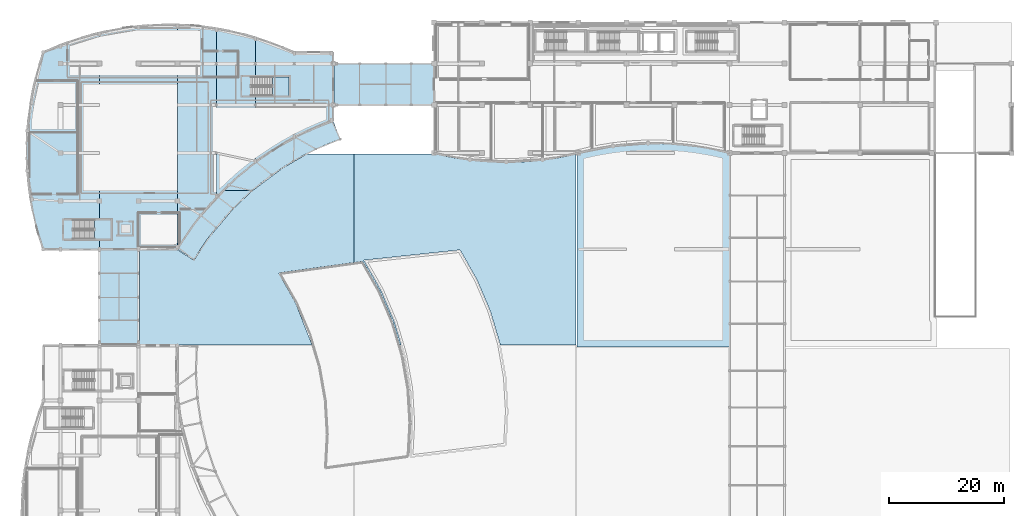
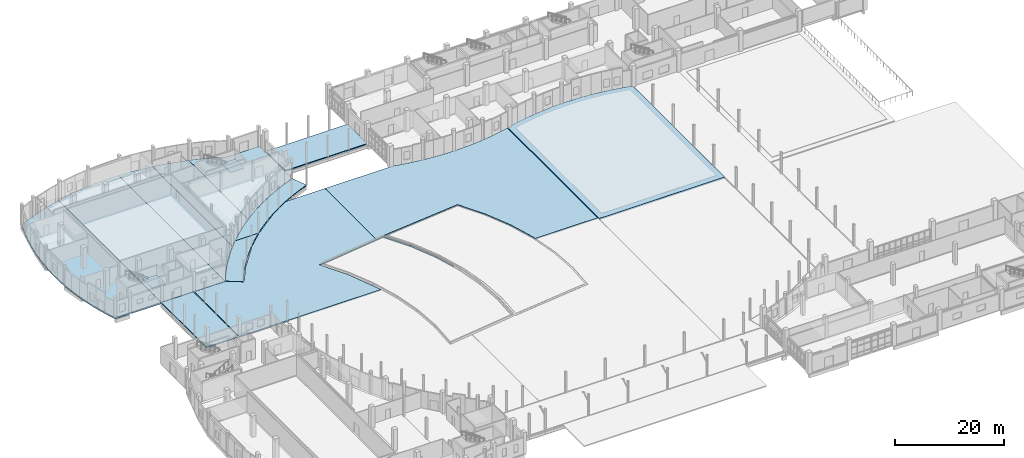
# One storey, part 50 of 97: 14 slabs, 2 elements without a shape of their own.
"""IFC4 building model written with IfcOpenShell, lengths in metres."""

from ifc_helpers import new_model, si_unit, direction, frame, origin, place, context, subcontext, project, spatial, polyline, outline, extrude, material, layer, layer_set, type_object, element, aggregate, save


model = new_model("IFC4")

# Units and contexts
model_context = context("Model", 3, precision=1e-05, world=origin(), true_north=direction((0.0, 1.0)))
body_context = subcontext(model_context, "Body", "Model", "MODEL_VIEW")
ifc_project = project(units=[si_unit("LENGTHUNIT", "METRE"), si_unit("AREAUNIT", "SQUARE_METRE"), si_unit("VOLUMEUNIT", "CUBIC_METRE"), si_unit("PLANEANGLEUNIT", "RADIAN"), si_unit("MASSUNIT", "GRAM", prefix="KILO")], contexts=[model_context])

# Site, building, storey
site_placement = place(None, origin())
site = spatial("IfcSite", under=ifc_project, at=site_placement, CompositionType="ELEMENT")
building_placement = place(site_placement, origin())
building = spatial("IfcBuilding", under=site, at=building_placement, Name="Kisaragi Civic Commons", CompositionType="ELEMENT")
storey_placement = place(building_placement, origin())
storey = spatial("IfcBuildingStorey", under=building, at=storey_placement, Name="L00", CompositionType="ELEMENT", Elevation=0.0)

# Slabs
ifc_material = material(Name="Concrete Fc30", Category="concrete")
ifc_layer_1 = layer(ifc_material, 0.215087890625, Name="Concrete Fc30", Category="concrete")
ifc_layer_set_1 = layer_set([ifc_layer_1], Name="Concrete Fc30")
slab_type_1 = type_object("IfcSlabType", Name="SL-BR", PredefinedType="FLOOR", material=ifc_layer_set_1)
slab_1_placement = place(storey_placement, frame((0.0, 0.0, -0.215087890625)))
element("IfcSlab", 1, at=slab_1_placement, inside=storey, type_object=slab_type_1, Name="BR-V4-V2 L00 bridge deck slab", PredefinedType="FLOOR", context=body_context, shape_type="SweptSolid", body=[
    extrude(outline(polyline([(54.820068359375, 104.39990234375), (71.72998046875, 104.39990234375), (71.97998046875, 104.64990234375), (71.97998046875, 111.35009765625), (71.72998046875, 111.60009765625), (54.820068359375, 111.60009765625), (54.570068359375, 111.35009765625), (54.570068359375, 104.64990234375), (54.820068359375, 104.39990234375)])), origin(), (0.0, 0.0, 1.0), 0.215087890625),
])
slab_2_placement = place(storey_placement, frame((0.0, 0.0, -0.215087890625)))
element("IfcSlab", 2, at=slab_2_placement, inside=storey, type_object=slab_type_1, Name="BR-V2-V1 L00 bridge deck slab", PredefinedType="FLOOR", context=body_context, shape_type="SweptSolid", body=[
    extrude(outline(polyline([(13.85009765625, 62.570068359375), (20.14990234375, 62.570068359375), (20.39990234375, 62.820068359375), (20.39990234375, 78.929931640625), (20.14990234375, 79.179931640625), (13.85009765625, 79.179931640625), (13.60009765625, 78.929931640625), (13.60009765625, 62.820068359375), (13.85009765625, 62.570068359375)])), origin(), (0.0, 0.0, 1.0), 0.215087890625),
])
ifc_layer_2 = layer(ifc_material, 0.324951171875, Name="Concrete Fc30", Category="concrete")
ifc_layer_set_2 = layer_set([ifc_layer_2], Name="Concrete Fc30")
slab_type_2 = type_object("IfcSlabType", Name="SL-G2", PredefinedType="BASESLAB", material=ifc_layer_set_2)
slab_3_placement = place(storey_placement, frame((0.0, 0.0, -0.324951171875)))
element("IfcSlab", 3, at=slab_3_placement, inside=storey, type_object=slab_type_2, Name="V2 L00 slab SL-G2 11", PredefinedType="BASESLAB", context=body_context, shape_type="SweptSolid", body=[
    extrude(outline(polyline([(13.60009765625, 79.199951171875), (13.60009765625, 116.99609375), (12.75048828125, 116.79833984375), (10.460205078125, 116.1533203125), (8.201904296875, 115.404052734375), (5.98046875, 114.552490234375), (3.800048828125, 113.60009765625), (3.07666015625, 111.377685546875), (2.4541015625, 109.125), (1.93310546875, 106.846435546875), (1.51513671875, 104.547119140625), (1.200927734375, 102.231201171875), (0.9912109375, 99.9033203125), (0.885986328125, 97.568603515625), (0.885986328125, 95.2314453125), (0.9912109375, 92.896484375), (1.200927734375, 90.56884765625), (1.51513671875, 88.2529296875), (1.93310546875, 85.95361328125), (2.4541015625, 83.675048828125), (3.07666015625, 81.42236328125), (3.800048828125, 79.199951171875), (13.60009765625, 79.199951171875)])), origin(), (0.0, 0.0, 1.0), 0.324951171875),
])
slab_4_placement = place(storey_placement, frame((0.0, 0.0, -0.324951171875)))
element("IfcSlab", 4, at=slab_4_placement, inside=storey, type_object=slab_type_2, Name="V2 L00 slab SL-G2 12", PredefinedType="BASESLAB", context=body_context, shape_type="SweptSolid", body=[
    extrude(outline(polyline([(27.199951171875, 79.199951171875), (27.199951171875, 118.40869140625), (26.8896484375, 118.423095703125), (24.510498046875, 118.423095703125), (22.133544921875, 118.314208984375), (19.76416015625, 118.0966796875), (17.4072265625, 117.77099609375), (15.067626953125, 117.337890625), (13.60009765625, 116.99609375), (13.60009765625, 79.199951171875), (27.199951171875, 79.199951171875)])), origin(), (0.0, 0.0, 1.0), 0.324951171875),
])
slab_5_placement = place(storey_placement, frame((0.0, 0.0, -0.324951171875)))
element("IfcSlab", 5, at=slab_5_placement, inside=storey, type_object=slab_type_2, Name="V2 L00 slab SL-G2 13", PredefinedType="BASESLAB", context=body_context, shape_type="SweptSolid", body=[
    extrude(outline(polyline([(34.0, 88.218994140625), (34.0, 117.769775390625), (33.99267578125, 117.77099609375), (31.6357421875, 118.0966796875), (29.2666015625, 118.314208984375), (27.199951171875, 118.40869140625), (27.199951171875, 79.199951171875), (28.471435546875, 81.231201171875), (29.8349609375, 83.20166015625), (31.2880859375, 85.107421875), (32.8271484375, 86.94384765625), (34.0, 88.218994140625)])), origin(), (0.0, 0.0, 1.0), 0.324951171875),
])
slab_6_placement = place(storey_placement, frame((0.0, 0.0, -0.324951171875)))
element("IfcSlab", 6, at=slab_6_placement, inside=storey, type_object=slab_type_2, Name="V2 L00 slab SL-G2 14", PredefinedType="BASESLAB", context=body_context, shape_type="SweptSolid", body=[
    extrude(outline(polyline([(40.800048828125, 94.290283203125), (40.800048828125, 116.192626953125), (38.6494140625, 116.79833984375), (36.332275390625, 117.337890625), (34.0, 117.769775390625), (34.0, 88.218994140625), (34.449462890625, 88.707763671875), (36.151123046875, 90.394775390625), (37.9287109375, 92.001708984375), (39.778564453125, 93.525146484375), (40.800048828125, 94.290283203125)])), origin(), (0.0, 0.0, 1.0), 0.324951171875),
])
slab_7_placement = place(storey_placement, frame((0.0, 0.0, -0.324951171875)))
element("IfcSlab", 7, at=slab_7_placement, inside=storey, type_object=slab_type_2, Name="V2 L00 slab SL-G2 15", PredefinedType="BASESLAB", context=body_context, shape_type="SweptSolid", body=[
    extrude(outline(polyline([(54.39990234375, 101.60009765625), (54.39990234375, 113.60009765625), (47.60009765625, 113.60009765625), (45.419677734375, 114.552490234375), (43.197998046875, 115.404052734375), (40.939697265625, 116.1533203125), (40.800048828125, 116.192626953125), (40.800048828125, 94.290283203125), (41.696533203125, 94.961669921875), (43.6787109375, 96.308349609375), (45.720703125, 97.562255859375), (47.818359375, 98.720703125), (49.96728515625, 99.78125), (52.16259765625, 100.74169921875), (54.39990234375, 101.60009765625)])), origin(), (0.0, 0.0, 1.0), 0.324951171875),
])
ifc_layer_3 = layer(ifc_material, 0.2451171875, Name="Concrete Fc30", Category="concrete")
ifc_layer_set_3 = layer_set([ifc_layer_3], Name="Concrete Fc30")
slab_type_3 = type_object("IfcSlabType", Name="SL-G3", PredefinedType="BASESLAB", material=ifc_layer_set_3)
slab_8_placement = place(storey_placement, frame((0.0, 0.0, -0.2451171875)))
element("IfcSlab", 8, at=slab_8_placement, inside=storey, type_object=slab_type_3, Name="Civic courtyard and forecourt stone promenade slab 3", PredefinedType="BASESLAB", context=body_context, shape_type="SweptSolid", body=[
    extrude(outline(polyline([(20.60009765625, 79.1201171875), (20.60009765625, 62.52001953125), (50.721923828125, 62.52001953125), (50.721923828125, 62.52001953125), (47.8583984375, 69.804931640625), (44.8720703125, 75.06298828125), (58.0, 76.873779296875), (58.0, 95.800048828125), (49.76171875, 95.800048828125), (45.5673828125, 93.385498046875), (40.202392578125, 89.3671875), (36.955810546875, 86.29345703125), (32.650146484375, 81.156005859375), (30.107421875, 77.285888671875), (27.177001953125, 79.1201171875), (20.60009765625, 79.1201171875)])), origin(), (0.0, 0.0, 1.0), 0.2451171875),
])
slab_9_placement = place(storey_placement, frame((0.0, 0.0, -0.2451171875)))
element("IfcSlab", 9, at=slab_9_placement, inside=storey, type_object=slab_type_3, Name="Civic courtyard and forecourt stone promenade slab 6", PredefinedType="BASESLAB", context=body_context, shape_type="SweptSolid", body=[
    extrude(outline(polyline([(72.516845703125, 95.800048828125), (58.02001953125, 95.800048828125), (58.02001953125, 76.876708984375), (59.542724609375, 77.086669921875), (62.502197265625, 71.8759765625), (64.8291015625, 66.40771484375), (65.981689453125, 62.52001953125), (66.283203125, 62.52001953125), (65.101806640625, 66.505859375), (62.76171875, 72.00439453125), (59.761474609375, 77.288818359375), (76.543701171875, 79.085205078125), (79.502197265625, 73.8759765625), (81.8291015625, 68.40771484375), (83.51806640625, 62.710205078125), (83.551513671875, 62.52001953125), (96.800048828125, 62.52001953125), (96.800048828125, 95.800048828125), (96.268798828125, 95.705322265625), (95.1484375, 95.44970703125), (93.059814453125, 95.06201171875), (90.957275390625, 94.759765625), (88.843994140625, 94.54345703125), (86.723876953125, 94.41357421875), (84.60009765625, 94.370361328125), (82.476318359375, 94.41357421875), (80.35595703125, 94.54345703125), (78.24267578125, 94.759765625), (76.14013671875, 95.06201171875), (74.051513671875, 95.44970703125), (72.516845703125, 95.800048828125), (72.516845703125, 95.800048828125)])), origin(), (0.0, 0.0, 1.0), 0.2451171875),
])
ifc_layer_4 = layer(ifc_material, 0.320068359375, Name="Concrete Fc30", Category="concrete")
ifc_layer_set_4 = layer_set([ifc_layer_4], Name="Concrete Fc30")
slab_type_4 = type_object("IfcSlabType", Name="SL-TR1", PredefinedType="FLOOR", material=ifc_layer_set_4)
slab_10_placement = place(storey_placement, frame((0.0, 0.0, -0.320068359375)))
element("IfcSlab", 10, at=slab_10_placement, inside=storey, type_object=slab_type_4, Name="L00 courtyard plaza and roof garden deck 1", PredefinedType="FLOOR", context=body_context, shape_type="SweptSolid", body=[
    extrude(outline(polyline([(96.9599609375, 62.159912109375), (123.580078125, 62.159912109375), (123.580078125, 95.984375), (119.58740234375, 96.864990234375), (115.522705078125, 97.43017578125), (113.476806640625, 97.592041015625), (109.373779296875, 97.673095703125), (107.322998046875, 97.592041015625), (103.2392578125, 97.187744140625), (99.2001953125, 96.46240234375), (96.9599609375, 95.9248046875), (96.9599609375, 62.159912109375)])), origin(), (0.0, 0.0, 1.0), 0.320068359375),
])
ifc_layer_5 = layer(ifc_material, 0.205078125, Name="Concrete Fc30", Category="concrete")
ifc_layer_set_5 = layer_set([ifc_layer_5], Name="Concrete Fc30")
slab_type_5 = type_object("IfcSlabType", Name="SL-VR", PredefinedType="FLOOR", material=ifc_layer_set_5)
slab_11_placement = place(storey_placement, frame((0.0, 0.0, -0.205078125)))
element("IfcSlab", 11, at=slab_11_placement, inside=storey, type_object=slab_type_5, Name="VER-V2 engawa veranda deck slab 1", PredefinedType="FLOOR", context=body_context, shape_type="SweptSolid", body=[
    extrude(outline(polyline([(40.214599609375, 89.48095703125), (35.250732421875, 89.48095703125), (34.460205078125, 88.697265625), (32.83837890625, 86.93408203125), (31.2998046875, 85.097900390625), (29.84716796875, 83.19287109375), (28.48388671875, 81.222900390625), (27.212646484375, 79.19189453125), (30.08203125, 77.39599609375), (31.31103515625, 79.361328125), (32.58544921875, 81.202880859375), (33.943603515625, 82.98388671875), (35.382080078125, 84.700439453125), (36.898193359375, 86.34912109375), (38.48876953125, 87.92578125), (40.14990234375, 89.427734375), (40.214599609375, 89.48095703125)])), origin(), (0.0, 0.0, 1.0), 0.205078125),
])
slab_12_placement = place(storey_placement, frame((0.0, 0.0, -0.205078125)))
element("IfcSlab", 12, at=slab_12_placement, inside=storey, type_object=slab_type_5, Name="VER-V2 engawa veranda deck slab 2", PredefinedType="FLOOR", context=body_context, shape_type="SweptSolid", body=[
    extrude(outline(polyline([(55.617919921875, 98.425537109375), (54.405517578125, 101.5859375), (52.16845703125, 100.727783203125), (49.9736328125, 99.767578125), (47.8251953125, 98.707275390625), (45.728515625, 97.54931640625), (43.686767578125, 96.295654296875), (41.705078125, 94.949462890625), (39.787841796875, 93.51318359375), (37.9384765625, 91.990478515625), (36.161376953125, 90.3837890625), (35.27099609375, 89.5009765625), (40.239013671875, 89.5009765625), (41.87890625, 90.851318359375), (43.67138671875, 92.194091796875), (45.52392578125, 93.45263671875), (47.4326171875, 94.62451171875), (49.39306640625, 95.707275390625), (51.401611328125, 96.698486328125), (53.453369140625, 97.59619140625), (55.617919921875, 98.425537109375)])), origin(), (0.0, 0.0, 1.0), 0.205078125),
])

# Stair, slab
stair_type = type_object("IfcStairType", Name="ST-A", PredefinedType="HALF_TURN_STAIR", material=ifc_material)
stair_1_placement = place(storey_placement, origin())
stair_1 = element("IfcStair", 13, at=stair_1_placement, inside=storey, type_object=stair_type, Name="L00 Stair ST-S1", PredefinedType="HALF_TURN_STAIR")
ifc_layer_6 = layer(ifc_material, 0.199951171875, Name="Concrete Fc30", Category="concrete")
ifc_layer_set_6 = layer_set([ifc_layer_6], Name="Concrete Fc30")
slab_type_6 = type_object("IfcSlabType", Name="STL-01", PredefinedType="LANDING", material=ifc_layer_set_6)
slab_13_placement = place(storey_placement, frame((0.0, 0.0, 2.199951171875)))
slab_13 = element("IfcSlab", 14, at=slab_13_placement, type_object=slab_type_6, Name="ST-S1 landing 1", PredefinedType="LANDING", context=body_context, shape_type="SweptSolid", body=[
    extrude(outline(polyline([(12.719970703125, 81.0), (15.60009765625, 81.0), (15.60009765625, 84.300048828125), (12.719970703125, 84.300048828125), (12.719970703125, 81.0)])), origin(), (0.0, 0.0, 1.0), 0.199951171875),
])
aggregate(stair_1, [slab_13])

stair_2_placement = place(storey_placement, origin())
stair_2 = element("IfcStair", 15, at=stair_2_placement, inside=storey, type_object=stair_type, Name="L00 Stair ST-S2", PredefinedType="HALF_TURN_STAIR")
slab_14_placement = place(storey_placement, frame((0.0, 0.0, 2.199951171875)))
slab_14 = element("IfcSlab", 16, at=slab_14_placement, type_object=slab_type_6, Name="ST-S2 landing 1", PredefinedType="LANDING", context=body_context, shape_type="SweptSolid", body=[
    extrude(outline(polyline([(43.820068359375, 106.0), (46.699951171875, 106.0), (46.699951171875, 109.300048828125), (43.820068359375, 109.300048828125), (43.820068359375, 106.0)])), origin(), (0.0, 0.0, 1.0), 0.199951171875),
])
aggregate(stair_2, [slab_14])

save(model, "model.ifc")
